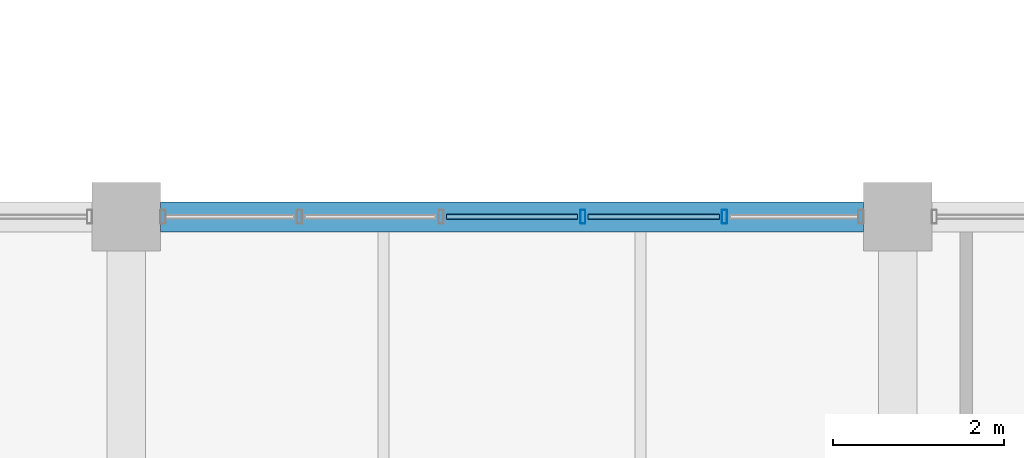
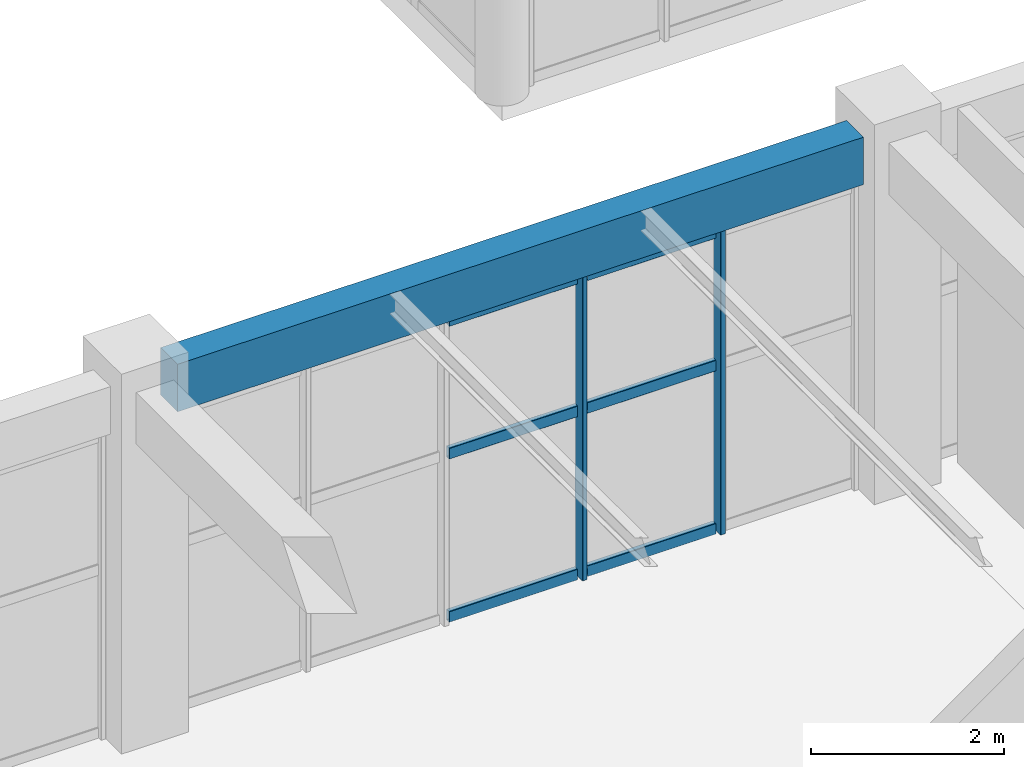
# One storey, part 19 of 178: 8 members, 1 beam, 1 element without a shape of its own.
"""IFC4 building model written with IfcOpenShell, lengths in metres."""

from ifc_helpers import new_model, si_unit, derived_unit, direction, frame, origin, origin_2d, place, context, subcontext, project, spatial, rectangle, hollow_rectangle, extrude, material, material_profile, profile_set, type_object, element, aggregate, save


model = new_model("IFC4")

# Units and contexts
model_context = context("Model", 3, precision=1e-05, world=origin(), true_north=direction((0.0, 1.0)))
body_context = subcontext(model_context, "Body", "Model", "MODEL_VIEW")
ifc_project = project(units=[si_unit("LENGTHUNIT", "METRE"), si_unit("AREAUNIT", "SQUARE_METRE"), si_unit("VOLUMEUNIT", "CUBIC_METRE"), si_unit("PLANEANGLEUNIT", "RADIAN"), si_unit("MASSUNIT", "GRAM", prefix="KILO"), derived_unit("THERMALTRANSMITTANCEUNIT", [(si_unit("MASSUNIT", "GRAM", prefix="KILO"), 1), (si_unit("TIMEUNIT", "SECOND"), -3), (si_unit("THERMODYNAMICTEMPERATUREUNIT", "KELVIN"), -1)])], contexts=[model_context])

# Site, building, storey
site_placement = place(None, origin())
site = spatial("IfcSite", under=ifc_project, at=site_placement, CompositionType="ELEMENT")
building_placement = place(site_placement, origin())
building = spatial("IfcBuilding", under=site, at=building_placement, Name="Zhenchuan Archway Interchange", CompositionType="ELEMENT")
storey_placement = place(building_placement, frame((0.0, 0.0, 5.39990234375)))
storey = spatial("IfcBuildingStorey", under=building, at=storey_placement, Name="L01", CompositionType="ELEMENT", Elevation=5.39990234375)

# Curtain wall, members
ifc_material_1 = material(Name="Anodised Aluminium", Category="aluminium")
curtain_wall_type = type_object("IfcCurtainWallType", Name="CW_UNIT_3", PredefinedType="NOTDEFINED", material=ifc_material_1)
curtain_wall_placement = place(storey_placement, origin())
curtain_wall = element("IfcCurtainWall", 1, at=curtain_wall_placement, inside=storey, type_object=curtain_wall_type, Name="Unitised curtain wall CW:L01:090", PredefinedType="NOTDEFINED")
ifc_material_profile_1 = material_profile(ifc_material_1, hollow_rectangle(XDim=0.06005859375, YDim=0.159912109375, WallThickness=0.00390625, InnerFilletRadius=0.00390625, OuterFilletRadius=0.008056640625, at=origin_2d()), Name="ALU 160x60x4")
ifc_profile_set_1 = profile_set([ifc_material_profile_1], Name="Anodised Aluminium")
member_type_1 = type_object("IfcMemberType", Name="CW_MUL_150", PredefinedType="MULLION", material=ifc_profile_set_1)
member_1_placement = place(storey_placement, frame((14.326416015625, 16.0, 0.0), z_axis=(0.0, 0.0, 1.0), x_axis=(1.0, 0.0, 0.0)))
member_1 = element("IfcMember", 2, at=member_1_placement, type_object=member_type_1, Name="CW:L01:090 mullion 3", PredefinedType="MULLION", context=body_context, shape_type="SweptSolid", body=[
    extrude(hollow_rectangle(XDim=0.06005859375, YDim=0.159912109375, WallThickness=0.00390625, InnerFilletRadius=0.00390625, OuterFilletRadius=0.008056640625, at=origin_2d()), origin(), (0.0, 0.0, 1.0), 3.880126953125),
])
member_2_placement = place(storey_placement, frame((15.979248046875, 16.0, 0.0), z_axis=(0.0, 0.0, 1.0), x_axis=(1.0, 0.0, 0.0)))
member_2 = element("IfcMember", 3, at=member_2_placement, type_object=member_type_1, Name="CW:L01:090 mullion 4", PredefinedType="MULLION", context=body_context, shape_type="SweptSolid", body=[
    extrude(hollow_rectangle(XDim=0.06005859375, YDim=0.159912109375, WallThickness=0.00390625, InnerFilletRadius=0.00390625, OuterFilletRadius=0.008056640625, at=origin_2d()), origin(), (0.0, 0.0, 1.0), 3.880126953125),
])
ifc_material_profile_2 = material_profile(ifc_material_1, hollow_rectangle(XDim=0.06005859375, YDim=0.139892578125, WallThickness=0.00341796875, InnerFilletRadius=0.00341796875, OuterFilletRadius=0.007080078125, at=origin_2d()), Name="ALU 140x60x3.5")
ifc_profile_set_2 = profile_set([ifc_material_profile_2], Name="Anodised Aluminium")
member_type_2 = type_object("IfcMemberType", Name="CW_TRN_140", PredefinedType="USERDEFINED", material=ifc_profile_set_2)
member_3_placement = place(storey_placement, frame((12.733642578125, 16.0, 0.06005859375), z_axis=(1.0, 0.0, 0.0), x_axis=(0.0, 1.0, 0.0)))
member_3 = element("IfcMember", 4, at=member_3_placement, type_object=member_type_2, Name="CW:L01:090 transom 2-1", ObjectType="TRANSOM", PredefinedType="USERDEFINED", context=body_context, shape_type="SweptSolid", body=[
    extrude(hollow_rectangle(XDim=0.06005859375, YDim=0.139892578125, WallThickness=0.00341796875, InnerFilletRadius=0.00341796875, OuterFilletRadius=0.007080078125, at=origin_2d()), origin(), (0.0, 0.0, 1.0), 1.53271484375),
])
member_4_placement = place(storey_placement, frame((12.733642578125, 16.0, 2.123046875), z_axis=(1.0, 0.0, 0.0), x_axis=(0.0, 1.0, 0.0)))
member_4 = element("IfcMember", 5, at=member_4_placement, type_object=member_type_2, Name="CW:L01:090 transom 2-2", ObjectType="TRANSOM", PredefinedType="USERDEFINED", context=body_context, shape_type="SweptSolid", body=[
    extrude(hollow_rectangle(XDim=0.06005859375, YDim=0.139892578125, WallThickness=0.00341796875, InnerFilletRadius=0.00341796875, OuterFilletRadius=0.007080078125, at=origin_2d()), origin(), (0.0, 0.0, 1.0), 1.53271484375),
])
member_5_placement = place(storey_placement, frame((12.733642578125, 16.0, 3.800048828125), z_axis=(1.0, 0.0, 0.0), x_axis=(0.0, 1.0, 0.0)))
member_5 = element("IfcMember", 6, at=member_5_placement, type_object=member_type_2, Name="CW:L01:090 transom 2-3", ObjectType="TRANSOM", PredefinedType="USERDEFINED", context=body_context, shape_type="SweptSolid", body=[
    extrude(hollow_rectangle(XDim=0.06005859375, YDim=0.139892578125, WallThickness=0.00341796875, InnerFilletRadius=0.00341796875, OuterFilletRadius=0.007080078125, at=origin_2d()), origin(), (0.0, 0.0, 1.0), 1.53271484375),
])
member_6_placement = place(storey_placement, frame((14.386474609375, 16.0, 0.06005859375), z_axis=(1.0, 0.0, 0.0), x_axis=(0.0, 1.0, 0.0)))
member_6 = element("IfcMember", 7, at=member_6_placement, type_object=member_type_2, Name="CW:L01:090 transom 3-1", ObjectType="TRANSOM", PredefinedType="USERDEFINED", context=body_context, shape_type="SweptSolid", body=[
    extrude(hollow_rectangle(XDim=0.06005859375, YDim=0.139892578125, WallThickness=0.00341796875, InnerFilletRadius=0.00341796875, OuterFilletRadius=0.007080078125, at=origin_2d()), origin(), (0.0, 0.0, 1.0), 1.53271484375),
])
member_7_placement = place(storey_placement, frame((14.386474609375, 16.0, 2.123046875), z_axis=(1.0, 0.0, 0.0), x_axis=(0.0, 1.0, 0.0)))
member_7 = element("IfcMember", 8, at=member_7_placement, type_object=member_type_2, Name="CW:L01:090 transom 3-2", ObjectType="TRANSOM", PredefinedType="USERDEFINED", context=body_context, shape_type="SweptSolid", body=[
    extrude(hollow_rectangle(XDim=0.06005859375, YDim=0.139892578125, WallThickness=0.00341796875, InnerFilletRadius=0.00341796875, OuterFilletRadius=0.007080078125, at=origin_2d()), origin(), (0.0, 0.0, 1.0), 1.53271484375),
])
member_8_placement = place(storey_placement, frame((14.386474609375, 16.0, 3.800048828125), z_axis=(1.0, 0.0, 0.0), x_axis=(0.0, 1.0, 0.0)))
member_8 = element("IfcMember", 9, at=member_8_placement, type_object=member_type_2, Name="CW:L01:090 transom 3-3", ObjectType="TRANSOM", PredefinedType="USERDEFINED", context=body_context, shape_type="SweptSolid", body=[
    extrude(hollow_rectangle(XDim=0.06005859375, YDim=0.139892578125, WallThickness=0.00341796875, InnerFilletRadius=0.00341796875, OuterFilletRadius=0.007080078125, at=origin_2d()), origin(), (0.0, 0.0, 1.0), 1.53271484375),
])
aggregate(curtain_wall, [member_1, member_2, member_3, member_4, member_5, member_6, member_7, member_8])

# Beam
ifc_material_2 = material(Name="Concrete C40", Category="concrete")
ifc_material_profile_3 = material_profile(ifc_material_2, rectangle(XDim=0.35009765625, YDim=0.60009765625, at=origin_2d()), Name="RC 350x600")
ifc_profile_set_3 = profile_set([ifc_material_profile_3], Name="Concrete C40")
beam_type = type_object("IfcBeamType", Name="SP_RC_350x600", PredefinedType="SPANDREL", material=ifc_profile_set_3)
beam_placement = place(storey_placement, frame((9.39990234375, 16.0, 4.210205078125), z_axis=(1.0, 0.0, 0.0), x_axis=(0.0, 1.0, 0.0)))
element("IfcBeam", 10, at=beam_placement, inside=storey, type_object=beam_type, Name="Beam C:2-3 (L01)", PredefinedType="SPANDREL", context=body_context, shape_type="SweptSolid", body=[
    extrude(rectangle(XDim=0.35009765625, YDim=0.60009765625, at=origin_2d()), origin(), (0.0, 0.0, 1.0), 8.2001953125),
])

save(model, "model.ifc")
